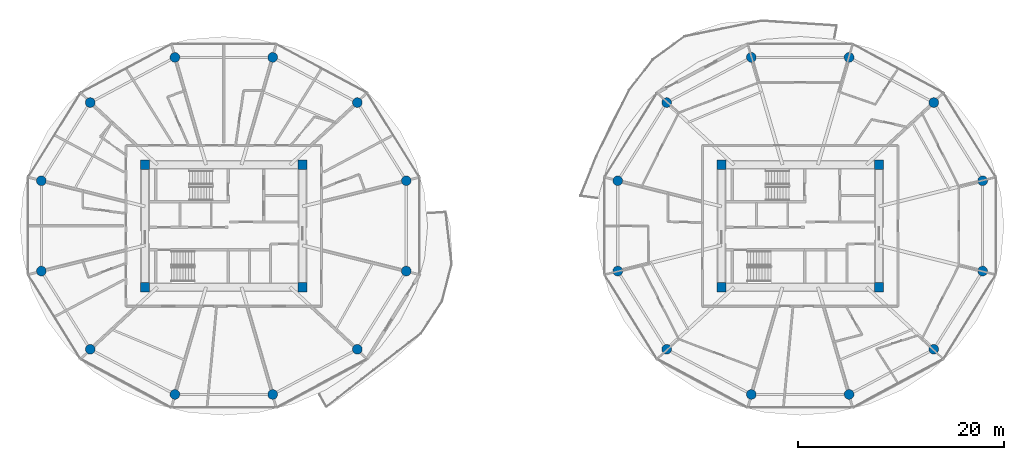
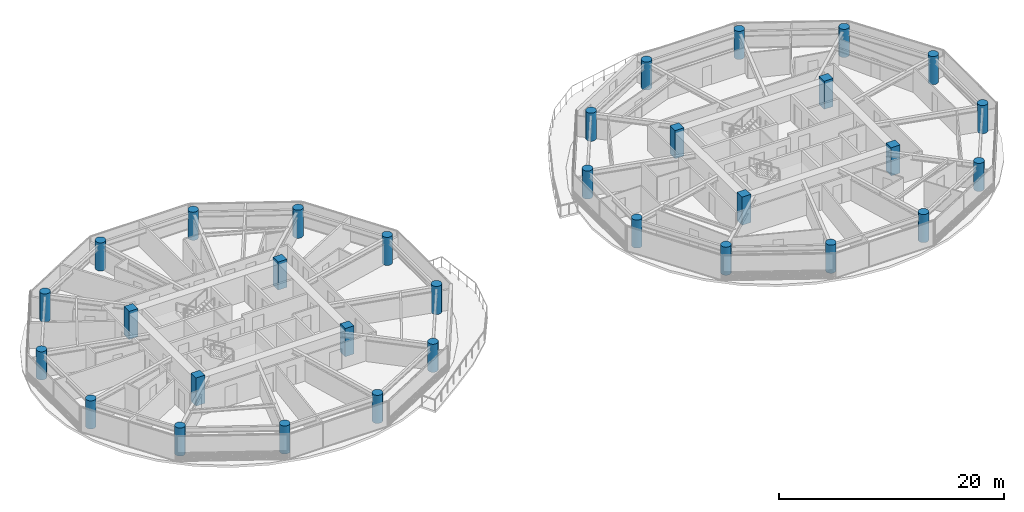
# One storey, part 1 of 26: 32 columns.
"""IFC4 building model written with IfcOpenShell, lengths in metres."""

from ifc_helpers import new_model, si_unit, direction, frame, origin, origin_2d, place, context, subcontext, project, spatial, rectangle, circle, extrude, source, transform, mapped, material, material_profile, profile_set, type_object, type_shapes, element, save


model = new_model("IFC4")

# Units and contexts
model_context = context("Model", 3, precision=1e-05, world=origin(), true_north=direction((0.0, 1.0)))
body_context = subcontext(model_context, "Body", "Model", "MODEL_VIEW")
ifc_project = project(units=[si_unit("LENGTHUNIT", "METRE"), si_unit("AREAUNIT", "SQUARE_METRE"), si_unit("VOLUMEUNIT", "CUBIC_METRE"), si_unit("PLANEANGLEUNIT", "RADIAN"), si_unit("MASSUNIT", "GRAM", prefix="KILO")], contexts=[model_context])

# Site, building, storey
site_placement = place(None, origin())
site = spatial("IfcSite", under=ifc_project, at=site_placement, CompositionType="ELEMENT")
building_placement = place(site_placement, origin())
building = spatial("IfcBuilding", under=site, at=building_placement, Name="Norrkilde Senior Care Towers", CompositionType="ELEMENT")
storey_placement = place(building_placement, frame((0.0, 0.0, 64.300048828125)))
storey = spatial("IfcBuildingStorey", under=building, at=storey_placement, Name="L19", CompositionType="ELEMENT", Elevation=64.300048828125)

# Columns
ifc_material = material(Name="Concrete C60/75", Category="concrete")
ifc_material_profile_1 = material_profile(ifc_material, rectangle(XDim=0.89990234375, YDim=0.89990234375, at=origin_2d()), Name="RC COL 900x900")
ifc_profile_set_1 = profile_set([ifc_material_profile_1], Name="Concrete C60/75")
column_type_1 = type_object("IfcColumnType", Name="Column Core Corner Z1-Z2 900", PredefinedType="COLUMN", material=ifc_profile_set_1)
shared_shape_1 = source(origin(), body_context, "Body", "SweptSolid", [
    extrude(rectangle(XDim=0.89990234375, YDim=0.89990234375, at=origin_2d()), origin(), (0.0, 0.0, 1.0), 3.050048828125),
])
type_shapes(column_type_1, [shared_shape_1])
for number, where, z_axis, x_axis, name in (
    (1, (-35.64990234375, -5.949951171875, 0.0), (0.0, 0.0, 1.0), (1.0, 0.0, 0.0), "L19 Core W Corner Column 1"),
    (2, (-20.35009765625, -5.949951171875, 0.0), (0.0, 0.0, 1.0), (1.0, 0.0, 0.0), "L19 Core W Corner Column 2"),
    (3, (-20.35009765625, 5.949951171875, 0.0), (0.0, 0.0, 1.0), (1.0, 0.0, 0.0), "L19 Core W Corner Column 3"),
    (4, (-35.64990234375, 5.949951171875, 0.0), (0.0, 0.0, 1.0), (1.0, 0.0, 0.0), "L19 Core W Corner Column 4"),
    (5, (20.35009765625, -5.949951171875, 0.0), (0.0, 0.0, 1.0), (1.0, 0.0, 0.0), "L19 Core E Corner Column 1"),
    (6, (35.64990234375, -5.949951171875, 0.0), (0.0, 0.0, 1.0), (1.0, 0.0, 0.0), "L19 Core E Corner Column 2"),
    (7, (35.64990234375, 5.949951171875, 0.0), (0.0, 0.0, 1.0), (1.0, 0.0, 0.0), "L19 Core E Corner Column 3"),
    (8, (20.35009765625, 5.949951171875, 0.0), (0.0, 0.0, 1.0), (1.0, 0.0, 0.0), "L19 Core E Corner Column 4"),
):
    element("IfcColumn", number, at=place(storey_placement, frame(where, z_axis=z_axis, x_axis=x_axis)), inside=storey, type_object=column_type_1, Name=name, PredefinedType="COLUMN", context=body_context, shape_type="MappedRepresentation", body=[
        mapped(shared_shape_1, transform((0.0, 0.0, 0.0), x_axis=(1.0, 0.0, 0.0), y_axis=(0.0, 1.0, 0.0), z_axis=(0.0, 0.0, 1.0), scale=1.0)),
    ])
ifc_material_profile_2 = material_profile(ifc_material, circle(Radius=0.47509765625, at=origin_2d()), Name="RC CIR 950")
ifc_profile_set_2 = profile_set([ifc_material_profile_2], Name="Concrete C60/75")
column_type_2 = type_object("IfcColumnType", Name="Column Perimeter Z1 950", PredefinedType="COLUMN", material=ifc_profile_set_2)
shared_shape_2 = source(origin(), body_context, "Body", "SweptSolid", [
    extrude(circle(Radius=0.47509765625, at=origin_2d()), origin(), (0.0, 0.0, 1.0), 3.050048828125),
])
type_shapes(column_type_2, [shared_shape_2])
for number, where, z_axis, x_axis, name in (
    (9, (-10.275146484375, 4.386962890625, 0.0), (0.0, 0.0, 1.0), (1.0, 0.0, 0.0), "L19 Drum W Perimeter Column 01"),
    (10, (-15.024658203125, 11.9853515625, 0.0), (0.0, 0.0, 1.0), (1.0, 0.0, 0.0), "L19 Drum W Perimeter Column 02"),
    (11, (-23.250732421875, 16.37255859375, 0.0), (0.0, 0.0, 1.0), (1.0, 0.0, 0.0), "L19 Drum W Perimeter Column 03"),
    (12, (-32.749267578125, 16.37255859375, 0.0), (0.0, 0.0, 1.0), (1.0, 0.0, 0.0), "L19 Drum W Perimeter Column 04"),
    (13, (-40.975341796875, 11.9853515625, 0.0), (0.0, 0.0, 1.0), (1.0, 0.0, 0.0), "L19 Drum W Perimeter Column 05"),
    (14, (-45.724853515625, 4.386962890625, 0.0), (0.0, 0.0, 1.0), (1.0, 0.0, 0.0), "L19 Drum W Perimeter Column 06"),
    (15, (-45.724853515625, -4.386962890625, 0.0), (0.0, 0.0, 1.0), (1.0, 0.0, 0.0), "L19 Drum W Perimeter Column 07"),
    (16, (-40.975341796875, -11.9853515625, 0.0), (0.0, 0.0, 1.0), (1.0, 0.0, 0.0), "L19 Drum W Perimeter Column 08"),
    (17, (-32.749267578125, -16.37255859375, 0.0), (0.0, 0.0, 1.0), (1.0, 0.0, 0.0), "L19 Drum W Perimeter Column 09"),
    (18, (-23.250732421875, -16.37255859375, 0.0), (0.0, 0.0, 1.0), (1.0, 0.0, 0.0), "L19 Drum W Perimeter Column 10"),
    (19, (-15.024658203125, -11.9853515625, 0.0), (0.0, 0.0, 1.0), (1.0, 0.0, 0.0), "L19 Drum W Perimeter Column 11"),
    (20, (-10.275146484375, -4.386962890625, 0.0), (0.0, 0.0, 1.0), (1.0, 0.0, 0.0), "L19 Drum W Perimeter Column 12"),
    (21, (45.724853515625, 4.386962890625, 0.0), (0.0, 0.0, 1.0), (1.0, 0.0, 0.0), "L19 Drum E Perimeter Column 01"),
    (22, (40.975341796875, 11.9853515625, 0.0), (0.0, 0.0, 1.0), (1.0, 0.0, 0.0), "L19 Drum E Perimeter Column 02"),
    (23, (32.749267578125, 16.37255859375, 0.0), (0.0, 0.0, 1.0), (1.0, 0.0, 0.0), "L19 Drum E Perimeter Column 03"),
    (24, (23.250732421875, 16.37255859375, 0.0), (0.0, 0.0, 1.0), (1.0, 0.0, 0.0), "L19 Drum E Perimeter Column 04"),
    (25, (15.024658203125, 11.9853515625, 0.0), (0.0, 0.0, 1.0), (1.0, 0.0, 0.0), "L19 Drum E Perimeter Column 05"),
    (26, (10.275146484375, 4.386962890625, 0.0), (0.0, 0.0, 1.0), (1.0, 0.0, 0.0), "L19 Drum E Perimeter Column 06"),
    (27, (10.275146484375, -4.386962890625, 0.0), (0.0, 0.0, 1.0), (1.0, 0.0, 0.0), "L19 Drum E Perimeter Column 07"),
    (28, (15.024658203125, -11.9853515625, 0.0), (0.0, 0.0, 1.0), (1.0, 0.0, 0.0), "L19 Drum E Perimeter Column 08"),
    (29, (23.250732421875, -16.37255859375, 0.0), (0.0, 0.0, 1.0), (1.0, 0.0, 0.0), "L19 Drum E Perimeter Column 09"),
    (30, (32.749267578125, -16.37255859375, 0.0), (0.0, 0.0, 1.0), (1.0, 0.0, 0.0), "L19 Drum E Perimeter Column 10"),
    (31, (40.975341796875, -11.9853515625, 0.0), (0.0, 0.0, 1.0), (1.0, 0.0, 0.0), "L19 Drum E Perimeter Column 11"),
    (32, (45.724853515625, -4.386962890625, 0.0), (0.0, 0.0, 1.0), (1.0, 0.0, 0.0), "L19 Drum E Perimeter Column 12"),
):
    element("IfcColumn", number, at=place(storey_placement, frame(where, z_axis=z_axis, x_axis=x_axis)), inside=storey, type_object=column_type_2, Name=name, PredefinedType="COLUMN", context=body_context, shape_type="MappedRepresentation", body=[
        mapped(shared_shape_2, transform((0.0, 0.0, 0.0), x_axis=(1.0, 0.0, 0.0), y_axis=(0.0, 1.0, 0.0), z_axis=(0.0, 0.0, 1.0), scale=1.0)),
    ])

save(model, "model.ifc")
